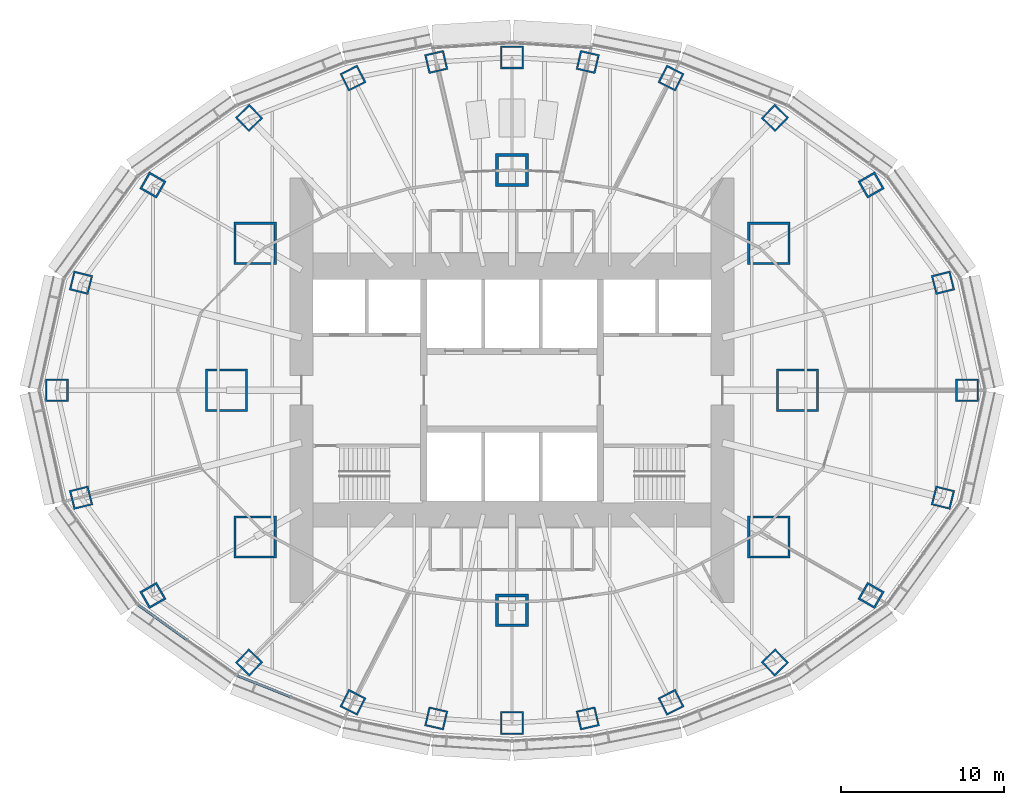
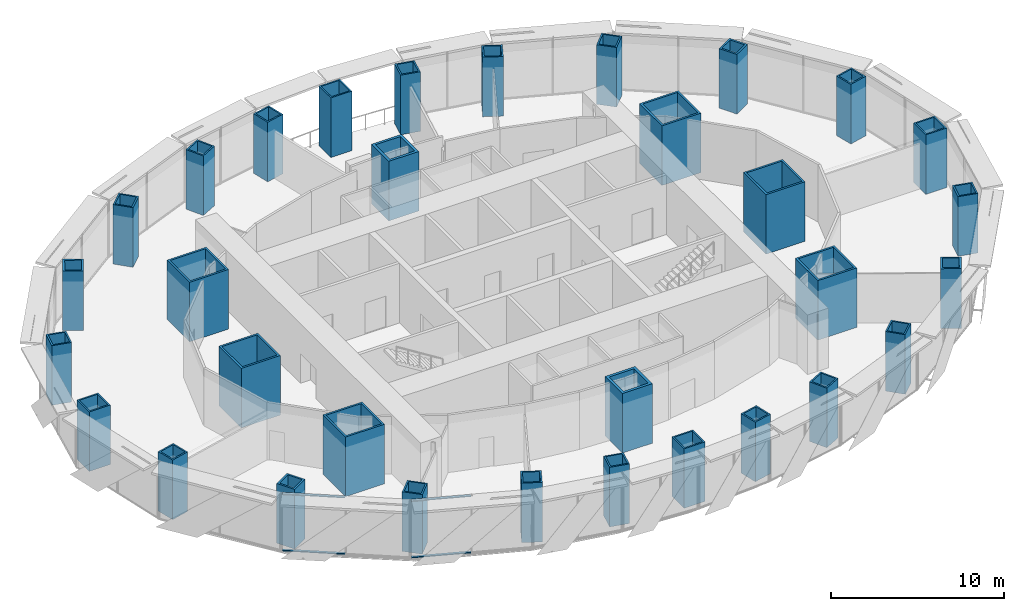
# One storey, part 1 of 17: 32 columns, 4 members, 2 elements without a shape of their own.
"""IFC4 building model written with IfcOpenShell, lengths in metres."""

import ifcopenshell
import ifcopenshell.guid

model = None  # the IFC model being written
_history = None  # IfcOwnerHistory: only IFC2X3 demands one
_inside = {}  # id of a spatial element -> (the spatial element, [elements in it])
_under = {}  # id of a project, library or spatial element -> (it, [spatial elements below it])
_declared = {}  # id of a project -> (the project, [libraries it declares])
_typed = {}  # id of a type object -> (the type object, [elements of that type])
_made_of = {}  # id of a material, layer set ... -> (it, [elements and type objects made of it])


def new_model(schema):
    """Start an empty IFC model of exactly this schema.

    Asked for "IFC4X3", IfcOpenShell would pick the latest addendum, in which some entities
    have other attributes; the version numbers below select the first issue.
    IFC2X3 requires an IfcOwnerHistory on every rooted entity: one is made here for all.
    """
    global model, _history
    if schema == "IFC4X3":
        model = ifcopenshell.file(schema_version=(4, 3, 0, 0))
    else:
        model = ifcopenshell.file(schema=schema)
    _inside.clear()
    _under.clear()
    _declared.clear()
    _typed.clear()
    _made_of.clear()
    _history = None
    if model.schema == "IFC2X3":
        org = make("IfcOrganization", Name="unknown")
        user = make(
            "IfcPersonAndOrganization",
            ThePerson=make("IfcPerson", FamilyName="unknown"),
            TheOrganization=org,
        )
        app = make(
            "IfcApplication",
            ApplicationDeveloper=org,
            Version="unknown",
            ApplicationFullName="unknown",
            ApplicationIdentifier="unknown",
        )
        _history = make(
            "IfcOwnerHistory",
            OwningUser=user,
            OwningApplication=app,
            ChangeAction="ADDED",
            CreationDate=0,
        )
    return model


def make(cls, **values):
    """One entity of the class cls with the attributes given. An attribute that is None is left unset."""
    return model.create_entity(
        cls, **{name: value for name, value in values.items() if value is not None}
    )


def rooted(cls, **values):
    """An entity with a GlobalId (a new one), such as an element, a storey or a relation."""
    return make(cls, GlobalId=ifcopenshell.guid.new(), OwnerHistory=_history, **values)


def si_unit(unit_type, name, prefix=None):
    """IfcSIUnit, for example si_unit("LENGTHUNIT", "METRE", prefix="MILLI")."""
    return make("IfcSIUnit", UnitType=unit_type, Prefix=prefix, Name=name)


def assignment(units):
    """IfcUnitAssignment: the units of a project."""
    return None if units is None else make("IfcUnitAssignment", Units=units)


def point(xyz):
    """IfcCartesianPoint."""
    return None if xyz is None else make("IfcCartesianPoint", Coordinates=xyz)


def direction(xyz):
    """IfcDirection."""
    return None if xyz is None else make("IfcDirection", DirectionRatios=xyz)


def frame(location, z_axis=None, x_axis=None):
    """IfcAxis2Placement3D, a coordinate frame: its origin and axes. An axis left out is left unset."""
    return make(
        "IfcAxis2Placement3D",
        Location=point(location),
        Axis=direction(z_axis),
        RefDirection=direction(x_axis),
    )


def frame_2d(location, x_axis=None):
    """IfcAxis2Placement2D, a coordinate frame in the plane: its origin and x axis."""
    return make(
        "IfcAxis2Placement2D", Location=point(location), RefDirection=direction(x_axis)
    )


def origin():
    """The frame at (0, 0, 0) with its axes left unset."""
    return frame((0.0, 0.0, 0.0))


def origin_2d():
    """The frame at (0, 0) in the plane with its x axis left unset."""
    return frame_2d((0.0, 0.0))


def place(relative_to, where):
    """IfcLocalPlacement: puts the frame where relative to a parent placement (None: the world)."""
    return make(
        "IfcLocalPlacement", PlacementRelTo=relative_to, RelativePlacement=where
    )


def context(
    kind, dimensions, precision=None, world=None, true_north=None, identifier=None
):
    """IfcGeometricRepresentationContext, for example the 3D "Model" context."""
    return make(
        "IfcGeometricRepresentationContext",
        ContextIdentifier=identifier,
        ContextType=kind,
        CoordinateSpaceDimension=dimensions,
        Precision=precision,
        WorldCoordinateSystem=world,
        TrueNorth=true_north,
    )


def subcontext(parent, identifier, kind, view, scale=None):
    """IfcGeometricRepresentationSubContext, for example "Body" below "Model"."""
    return make(
        "IfcGeometricRepresentationSubContext",
        ContextIdentifier=identifier,
        ContextType=kind,
        ParentContext=parent,
        TargetScale=scale,
        TargetView=view,
    )


def project(units=None, contexts=None):
    """IfcProject with its units and contexts."""
    return rooted(
        "IfcProject",
        Name="project",
        RepresentationContexts=contexts,
        UnitsInContext=assignment(units),
    )


def spatial(cls, under=None, at=None, **own):
    """A site, building, storey or space (cls), placed at a placement, below another one or the project."""
    s = rooted(cls, ObjectPlacement=at, **own)
    if under is not None:
        _under.setdefault(under.id(), (under, []))[1].append(s)
    return s


def profile(cls, at=None, kind="AREA", **sizes):
    """A parametric profile (cls). Its sizes go by their IFC names, for example OverallWidth=200.0."""
    return make(cls, ProfileType=kind, Position=at, **sizes)


def rectangle(**sizes):
    """IfcRectangleProfileDef."""
    return profile("IfcRectangleProfileDef", **sizes)


def hollow_rectangle(**sizes):
    """IfcRectangleHollowProfileDef."""
    return profile("IfcRectangleHollowProfileDef", **sizes)


def extrude(swept, where, along, depth):
    """IfcExtrudedAreaSolid: the profile swept, set in the frame where, extruded along a direction by depth."""
    return make(
        "IfcExtrudedAreaSolid",
        SweptArea=swept,
        Position=where,
        ExtrudedDirection=direction(along),
        Depth=depth,
    )


def shape(context_of_items, identifier, shape_type, items):
    """IfcShapeRepresentation: the items that make up one representation, for example the "Body"."""
    return make(
        "IfcShapeRepresentation",
        ContextOfItems=context_of_items,
        RepresentationIdentifier=identifier,
        RepresentationType=shape_type,
        Items=items,
    )


def material(Name=None, Category=None):
    """IfcMaterial."""
    return make("IfcMaterial", Name=Name, Category=Category)


def material_profile(
    of_material, cross_section, Name=None, Category=None, Priority=None
):
    """IfcMaterialProfile: a cross section and its material."""
    return make(
        "IfcMaterialProfile",
        Name=Name,
        Material=of_material,
        Profile=cross_section,
        Priority=Priority,
        Category=Category,
    )


def profile_set(profiles, Name=None, composite=None):
    """IfcMaterialProfileSet."""
    return make(
        "IfcMaterialProfileSet",
        Name=Name,
        MaterialProfiles=profiles,
        CompositeProfile=composite,
    )


def made_of(thing, what):
    """Note that an element or type object is made of a material, layer set ...; save() writes the relation."""
    if what is not None:
        _made_of.setdefault(what.id(), (what, []))[1].append(thing)
    return thing


def type_object(cls, material=None, **own):
    """A type object (cls), such as IfcWallType, which elements share."""
    return made_of(rooted(cls, **own), material)


def element(
    cls,
    number,
    at=None,
    inside=None,
    cuts=None,
    type_object=None,
    material=None,
    context=None,
    identifier="Body",
    shape_type=None,
    held_by="IfcProductDefinitionShape",
    body=None,
    shapes=None,
    **own,
):
    """One element of the class cls, such as IfcWall. Its Tag is "e" and its number.

    at: its placement. inside: the storey or other place that contains it. cuts: it is an
    opening in that element (IfcRelVoidsElement). A single representation is given by context,
    identifier, shape_type and body (its items); several are given by shapes. held_by: the class
    of the entity that holds the representations. save() writes the other relations.
    """
    e = rooted(cls, Tag="e%d" % number, ObjectPlacement=at, **own)
    if body is not None:
        shapes = [shape(context, identifier, shape_type, body)]
    if shapes is not None:
        e.Representation = make(held_by, Representations=shapes)
    if inside is not None:
        _inside.setdefault(inside.id(), (inside, []))[1].append(e)
    if cuts is not None:
        rooted(
            "IfcRelVoidsElement", RelatingBuildingElement=cuts, RelatedOpeningElement=e
        )
    if type_object is not None:
        _typed.setdefault(type_object.id(), (type_object, []))[1].append(e)
    return made_of(e, material)


def aggregate(whole, parts):
    """IfcRelAggregates: a whole, such as a stair, and the parts it consists of."""
    return rooted("IfcRelAggregates", RelatingObject=whole, RelatedObjects=parts)


def save(model, path):
    """Write the relations noted so far, then the file.

    IfcRelAggregates (storeys below a building ...), IfcRelContainedInSpatialStructure (elements
    in a storey), IfcRelDefinesByType, IfcRelAssociatesMaterial and IfcRelDeclares: one each for
    every whole, place, type object, material and project.
    """
    for whole, parts in _under.values():
        aggregate(whole, parts)
    for where, things in _inside.values():
        rooted(
            "IfcRelContainedInSpatialStructure",
            RelatedElements=things,
            RelatingStructure=where,
        )
    for kind, things in _typed.values():
        rooted("IfcRelDefinesByType", RelatedObjects=things, RelatingType=kind)
    for what, things in _made_of.values():
        rooted("IfcRelAssociatesMaterial", RelatedObjects=things, RelatingMaterial=what)
    for by, libraries in _declared.values():
        rooted("IfcRelDeclares", RelatingContext=by, RelatedDefinitions=libraries)
    model.write(path)


model = new_model("IFC4")

# Units and contexts
model_context = context("Model", 3, precision=1e-05, world=origin(), true_north=direction((0.0, 1.0)))
body_context = subcontext(model_context, "Body", "Model", "MODEL_VIEW")
ifc_project = project(units=[si_unit("LENGTHUNIT", "METRE"), si_unit("AREAUNIT", "SQUARE_METRE"), si_unit("VOLUMEUNIT", "CUBIC_METRE"), si_unit("PLANEANGLEUNIT", "RADIAN"), si_unit("MASSUNIT", "GRAM", prefix="KILO")], contexts=[model_context])

# Site, building, storey
site_placement = place(None, origin())
site = spatial("IfcSite", under=ifc_project, at=site_placement, CompositionType="ELEMENT")
building_placement = place(site_placement, origin())
building = spatial("IfcBuilding", under=site, at=building_placement, Name="Lantaw Convention Tower", CompositionType="ELEMENT")
storey_placement = place(building_placement, frame((0.0, 0.0, 151.0)))
storey = spatial("IfcBuildingStorey", under=building, at=storey_placement, Name="L35", CompositionType="ELEMENT", Elevation=151.0)

# Columns
ifc_material_1 = material(Name="Steel EN 10025-3 S460N", Category="steel")
ifc_material_profile_1 = material_profile(ifc_material_1, hollow_rectangle(XDim=2.0, YDim=2.0, WallThickness=0.169921875, at=origin_2d()), Name="BOX2000X170")
ifc_material_2 = material(Name="Concrete C60/75", Category="concrete")
ifc_material_profile_2 = material_profile(ifc_material_2, rectangle(XDim=1.659912109375, YDim=1.659912109375, at=origin_2d()), Name="Concrete fill of BOX2000X170")
ifc_profile_set_1 = profile_set([ifc_material_profile_1, ifc_material_profile_2], Name="Steel EN 10025-3 S460N")
column_type_1 = type_object("IfcColumnType", Name="Column MC BOX2000X170", PredefinedType="COLUMN", material=ifc_profile_set_1)
for number, where, z_axis, x_axis, name in (
    (1, (0.0, 13.5, 0.0), (0.0, 0.0, 1.0), (1.0, 0.0, 0.0), "Mega column M3"),
    (2, (0.0, -13.5, 0.0), (0.0, 0.0, 1.0), (1.0, 0.0, 0.0), "Mega column M7"),
):
    element("IfcColumn", number, at=place(storey_placement, frame(where, z_axis=z_axis, x_axis=x_axis)), inside=storey, type_object=column_type_1, Name=name, PredefinedType="COLUMN", context=body_context, shape_type="SweptSolid", body=[
        extrude(hollow_rectangle(XDim=2.0, YDim=2.0, WallThickness=0.169921875, at=origin_2d()), origin(), (0.0, 0.0, 1.0), 4.199951171875),
    ])
ifc_material_profile_3 = material_profile(ifc_material_1, hollow_rectangle(XDim=2.60009765625, YDim=2.60009765625, WallThickness=0.1298828125, at=origin_2d()), Name="BOX2600X130")
ifc_material_profile_4 = material_profile(ifc_material_2, rectangle(XDim=2.340087890625, YDim=2.340087890625, at=origin_2d()), Name="Concrete fill of BOX2600X130")
ifc_profile_set_2 = profile_set([ifc_material_profile_3, ifc_material_profile_4], Name="Steel EN 10025-3 S460N")
column_type_2 = type_object("IfcColumnType", Name="Column MC BOX2600X130", PredefinedType="COLUMN", material=ifc_profile_set_2)
for number, where, z_axis, x_axis, name in (
    (3, (17.5, 0.0, 0.0), (0.0, 0.0, 1.0), (1.0, 0.0, 0.0), "Mega column M1"),
    (4, (15.75, 9.0, 0.0), (0.0, 0.0, 1.0), (1.0, 0.0, 0.0), "Mega column M2"),
    (5, (-15.75, 9.0, 0.0), (0.0, 0.0, 1.0), (1.0, 0.0, 0.0), "Mega column M4"),
    (6, (-17.5, 0.0, 0.0), (0.0, 0.0, 1.0), (1.0, 0.0, 0.0), "Mega column M5"),
    (7, (-15.75, -9.0, 0.0), (0.0, 0.0, 1.0), (1.0, 0.0, 0.0), "Mega column M6"),
    (8, (15.75, -9.0, 0.0), (0.0, 0.0, 1.0), (1.0, 0.0, 0.0), "Mega column M8"),
):
    element("IfcColumn", number, at=place(storey_placement, frame(where, z_axis=z_axis, x_axis=x_axis)), inside=storey, type_object=column_type_2, Name=name, PredefinedType="COLUMN", context=body_context, shape_type="SweptSolid", body=[
        extrude(hollow_rectangle(XDim=2.60009765625, YDim=2.60009765625, WallThickness=0.1298828125, at=origin_2d()), origin(), (0.0, 0.0, 1.0), 4.199951171875),
    ])
ifc_material_profile_5 = material_profile(ifc_material_1, hollow_rectangle(XDim=1.199951171875, YDim=1.199951171875, WallThickness=0.10009765625, at=origin_2d()), Name="BOX1200X100")
ifc_material_profile_6 = material_profile(ifc_material_2, rectangle(XDim=1.0, YDim=1.0, at=origin_2d()), Name="Concrete fill of BOX1200X100")
ifc_profile_set_3 = profile_set([ifc_material_profile_5, ifc_material_profile_6], Name="Steel EN 10025-3 S460N")
column_type_3 = type_object("IfcColumnType", Name="Column PC BOX1200X100", PredefinedType="COLUMN", material=ifc_profile_set_3)
for number, where, z_axis, x_axis, name in (
    (9, (26.419921875, 6.587158203125, 0.0), (0.0, 0.0, 1.0), (0.970295726276, 0.2419218956, 0.0), "Perimeter column P2"),
    (10, (16.11767578125, 16.690185546875, 0.0), (0.0, 0.0, 1.0), (0.694658370459, 0.719339800339, 0.0), "Perimeter column P4"),
    (11, (9.74853515625, 19.1328125, 0.0), (0.0, 0.0, 1.0), (0.45399049974, 0.891006524188, 0.0), "Perimeter column P5"),
    (12, (4.64501953125, 20.1201171875, 0.0), (0.0, 0.0, 1.0), (0.224951054344, 0.974370064785, 0.0), "Perimeter column P6"),
    (13, (-4.64501953125, 20.1201171875, 0.0), (0.0, 0.0, 1.0), (0.974370064785, 0.224951054344, 0.0), "Perimeter column P8"),
    (14, (-9.74853515625, 19.1328125, 0.0), (0.0, 0.0, 1.0), (0.891006524188, 0.45399049974, 0.0), "Perimeter column P9"),
    (15, (-16.11767578125, 16.690185546875, 0.0), (0.0, 0.0, 1.0), (0.719339800339, 0.694658370459, 0.0), "Perimeter column P10"),
    (16, (-26.419921875, 6.587158203125, 0.0), (0.0, 0.0, 1.0), (0.2419218956, 0.970295726276, 0.0), "Perimeter column P12"),
    (17, (-26.419921875, -6.587158203125, 0.0), (0.0, 0.0, 1.0), (0.970295726276, 0.2419218956, 0.0), "Perimeter column P14"),
    (18, (-16.11767578125, -16.690185546875, 0.0), (0.0, 0.0, 1.0), (0.694658370459, 0.719339800339, 0.0), "Perimeter column P16"),
    (19, (-9.74853515625, -19.1328125, 0.0), (0.0, 0.0, 1.0), (0.45399049974, 0.891006524188, 0.0), "Perimeter column P17"),
    (20, (-4.64501953125, -20.1201171875, 0.0), (0.0, 0.0, 1.0), (0.224951054344, 0.974370064785, 0.0), "Perimeter column P18"),
    (21, (4.64501953125, -20.1201171875, 0.0), (0.0, 0.0, 1.0), (0.974370064785, 0.224951054344, 0.0), "Perimeter column P20"),
    (22, (9.74853515625, -19.1328125, 0.0), (0.0, 0.0, 1.0), (0.891006524188, 0.45399049974, 0.0), "Perimeter column P21"),
    (23, (16.11767578125, -16.690185546875, 0.0), (0.0, 0.0, 1.0), (0.719339800339, 0.694658370459, 0.0), "Perimeter column P22"),
    (24, (26.419921875, -6.587158203125, 0.0), (0.0, 0.0, 1.0), (0.2419218956, 0.970295726276, 0.0), "Perimeter column P24"),
):
    element("IfcColumn", number, at=place(storey_placement, frame(where, z_axis=z_axis, x_axis=x_axis)), inside=storey, type_object=column_type_3, Name=name, PredefinedType="COLUMN", context=body_context, shape_type="SweptSolid", body=[
        extrude(hollow_rectangle(XDim=1.199951171875, YDim=1.199951171875, WallThickness=0.10009765625, at=origin_2d()), origin(), (0.0, 0.0, 1.0), 4.199951171875),
    ])
ifc_material_profile_7 = material_profile(ifc_material_1, hollow_rectangle(XDim=1.199951171875, YDim=1.199951171875, WallThickness=0.1201171875, at=origin_2d()), Name="BOX1200X120")
ifc_material_profile_8 = material_profile(ifc_material_2, rectangle(XDim=0.9599609375, YDim=0.9599609375, at=origin_2d()), Name="Concrete fill of BOX1200X120")
ifc_profile_set_4 = profile_set([ifc_material_profile_7, ifc_material_profile_8], Name="Steel EN 10025-3 S460N")
column_type_4 = type_object("IfcColumnType", Name="Column PC BOX1200X120", PredefinedType="COLUMN", material=ifc_profile_set_4)
for number, where, z_axis, x_axis, name in (
    (25, (22.013916015625, 12.579345703125, 0.0), (0.0, 0.0, 1.0), (0.86824298017, 0.496139221777, 0.0), "Perimeter column P3"),
    (26, (-22.013916015625, 12.579345703125, 0.0), (0.0, 0.0, 1.0), (0.496139221777, 0.86824298017, 0.0), "Perimeter column P11"),
    (27, (-22.013916015625, -12.579345703125, 0.0), (0.0, 0.0, 1.0), (0.86824298017, 0.496139221777, 0.0), "Perimeter column P15"),
    (28, (22.013916015625, -12.579345703125, 0.0), (0.0, 0.0, 1.0), (0.496139221777, 0.86824298017, 0.0), "Perimeter column P23"),
):
    element("IfcColumn", number, at=place(storey_placement, frame(where, z_axis=z_axis, x_axis=x_axis)), inside=storey, type_object=column_type_4, Name=name, PredefinedType="COLUMN", context=body_context, shape_type="SweptSolid", body=[
        extrude(hollow_rectangle(XDim=1.199951171875, YDim=1.199951171875, WallThickness=0.1201171875, at=origin_2d()), origin(), (0.0, 0.0, 1.0), 4.199951171875),
    ])
ifc_material_profile_9 = material_profile(ifc_material_1, hollow_rectangle(XDim=1.39990234375, YDim=1.39990234375, WallThickness=0.10009765625, at=origin_2d()), Name="BOX1400X100")
ifc_material_profile_10 = material_profile(ifc_material_2, rectangle(XDim=1.199951171875, YDim=1.199951171875, at=origin_2d()), Name="Concrete fill of BOX1400X100")
ifc_profile_set_5 = profile_set([ifc_material_profile_9, ifc_material_profile_10], Name="Steel EN 10025-3 S460N")
column_type_5 = type_object("IfcColumnType", Name="Column PC BOX1400X100", PredefinedType="COLUMN", material=ifc_profile_set_5)
for number, where, z_axis, x_axis, name in (
    (29, (27.89990234375, 0.0, 0.0), (0.0, 0.0, 1.0), (1.0, 0.0, 0.0), "Perimeter column P1"),
    (30, (0.0, 20.39990234375, 0.0), (0.0, 0.0, 1.0), (1.0, 0.0, 0.0), "Perimeter column P7"),
    (31, (-27.89990234375, 0.0, 0.0), (0.0, 0.0, 1.0), (1.0, 0.0, 0.0), "Perimeter column P13"),
    (32, (0.0, -20.39990234375, 0.0), (0.0, 0.0, 1.0), (1.0, 0.0, 0.0), "Perimeter column P19"),
):
    element("IfcColumn", number, at=place(storey_placement, frame(where, z_axis=z_axis, x_axis=x_axis)), inside=storey, type_object=column_type_5, Name=name, PredefinedType="COLUMN", context=body_context, shape_type="SweptSolid", body=[
        extrude(hollow_rectangle(XDim=1.39990234375, YDim=1.39990234375, WallThickness=0.10009765625, at=origin_2d()), origin(), (0.0, 0.0, 1.0), 4.199951171875),
    ])

# Curtain wall, members
ifc_material_3 = material(Name="Aluminium framed curtain wall", Category="aluminium")
curtain_wall_type = type_object("IfcCurtainWallType", Name="Office curtain wall low rise, pale aluminium", PredefinedType="USERDEFINED", material=ifc_material_3)
curtain_wall_1_placement = place(storey_placement, origin())
curtain_wall_1 = element("IfcCurtainWall", 33, at=curtain_wall_1_placement, inside=storey, type_object=curtain_wall_type, Name="Office curtain wall low rise, pale aluminium L35", ObjectType="UNITISED CURTAIN WALL", PredefinedType="USERDEFINED")
ifc_material_4 = material(Name="Aluminium 6063-T6", Category="aluminium")
ifc_material_profile_11 = material_profile(ifc_material_4, rectangle(XDim=0.159912109375, YDim=0.06494140625, at=origin_2d()), Name="CW-O1 transom 65x160")
ifc_profile_set_6 = profile_set([ifc_material_profile_11], Name="Aluminium 6063-T6")
member_type = type_object("IfcMemberType", Name="CW-O1 transom 65x160", PredefinedType="USERDEFINED", material=ifc_profile_set_6)
member_1_placement = place(storey_placement, frame((-22.916259765625, -13.1630859375, 0.032470703125), z_axis=(0.813221785972, -0.581953887194, 0.0), x_axis=(0.581953887194, 0.813221785972, 0.0)))
member_1 = element("IfcMember", 34, at=member_1_placement, type_object=member_type, Name="CW-O1 transom 1.1", ObjectType="TRANSOM", PredefinedType="USERDEFINED", context=body_context, shape_type="SweptSolid", body=[
    extrude(rectangle(XDim=0.159912109375, YDim=0.06494140625, at=origin_2d()), origin(), (0.0, 0.0, 1.0), 3.645263671875),
])
member_2_placement = place(storey_placement, frame((-22.916259765625, -13.1630859375, 4.017578125), z_axis=(0.813221785972, -0.581953887194, 0.0), x_axis=(0.581953887194, 0.813221785972, 0.0)))
member_2 = element("IfcMember", 35, at=member_2_placement, type_object=member_type, Name="CW-O1 transom 1.2", ObjectType="TRANSOM", PredefinedType="USERDEFINED", context=body_context, shape_type="SweptSolid", body=[
    extrude(rectangle(XDim=0.159912109375, YDim=0.06494140625, at=origin_2d()), origin(), (0.0, 0.0, 1.0), 3.645263671875),
])
aggregate(curtain_wall_1, [member_1, member_2])

curtain_wall_2_placement = place(storey_placement, origin())
curtain_wall_2 = element("IfcCurtainWall", 36, at=curtain_wall_2_placement, inside=storey, type_object=curtain_wall_type, Name="Office curtain wall low rise, pale aluminium L35", ObjectType="UNITISED CURTAIN WALL", PredefinedType="USERDEFINED")
member_3_placement = place(storey_placement, frame((-16.8212890625, -17.505615234375, 0.032470703125), z_axis=(0.929564188507, -0.368660303592, 0.0), x_axis=(0.368660303592, 0.929564188507, 0.0)))
member_3 = element("IfcMember", 37, at=member_3_placement, type_object=member_type, Name="CW-O1 transom 1.1", ObjectType="TRANSOM", PredefinedType="USERDEFINED", context=body_context, shape_type="SweptSolid", body=[
    extrude(rectangle(XDim=0.159912109375, YDim=0.06494140625, at=origin_2d()), origin(), (0.0, 0.0, 1.0), 3.470703125),
])
member_4_placement = place(storey_placement, frame((-16.8212890625, -17.505615234375, 4.017578125), z_axis=(0.929564188507, -0.368660303592, 0.0), x_axis=(0.368660303592, 0.929564188507, 0.0)))
member_4 = element("IfcMember", 38, at=member_4_placement, type_object=member_type, Name="CW-O1 transom 1.2", ObjectType="TRANSOM", PredefinedType="USERDEFINED", context=body_context, shape_type="SweptSolid", body=[
    extrude(rectangle(XDim=0.159912109375, YDim=0.06494140625, at=origin_2d()), origin(), (0.0, 0.0, 1.0), 3.470703125),
])
aggregate(curtain_wall_2, [member_3, member_4])

save(model, "model.ifc")
